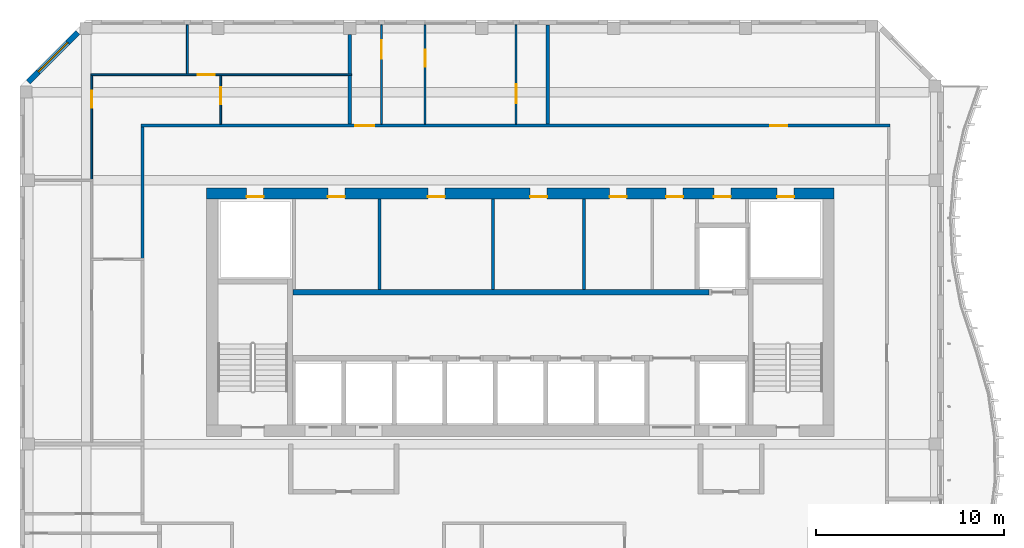
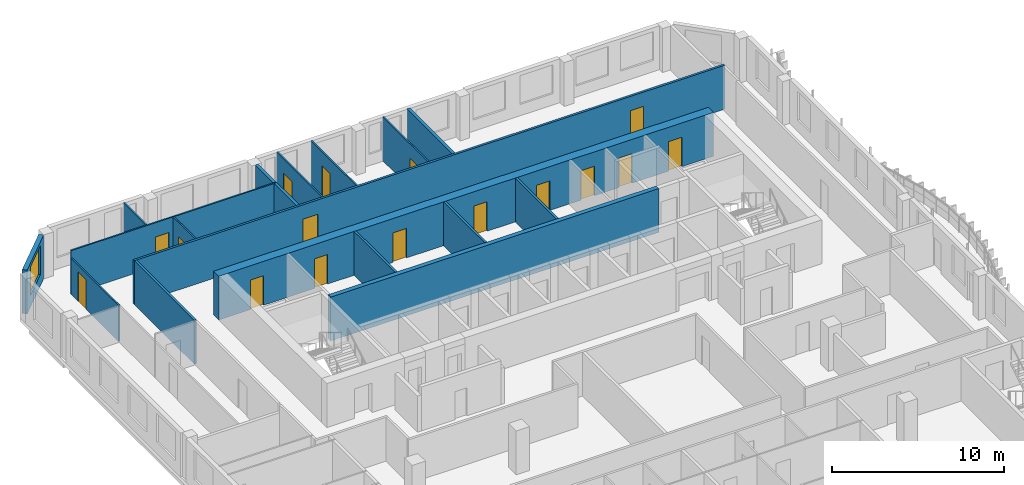
# One storey, part 7 of 16: 18 walls, 16 doors, 1 window, 17 openings.
"""IFC4 building model written with IfcOpenShell, lengths in metres."""

import ifcopenshell
import ifcopenshell.guid

model = None  # the IFC model being written
_history = None  # IfcOwnerHistory: only IFC2X3 demands one
_inside = {}  # id of a spatial element -> (the spatial element, [elements in it])
_under = {}  # id of a project, library or spatial element -> (it, [spatial elements below it])
_declared = {}  # id of a project -> (the project, [libraries it declares])
_typed = {}  # id of a type object -> (the type object, [elements of that type])
_made_of = {}  # id of a material, layer set ... -> (it, [elements and type objects made of it])


def new_model(schema):
    """Start an empty IFC model of exactly this schema.

    Asked for "IFC4X3", IfcOpenShell would pick the latest addendum, in which some entities
    have other attributes; the version numbers below select the first issue.
    IFC2X3 requires an IfcOwnerHistory on every rooted entity: one is made here for all.
    """
    global model, _history
    if schema == "IFC4X3":
        model = ifcopenshell.file(schema_version=(4, 3, 0, 0))
    else:
        model = ifcopenshell.file(schema=schema)
    _inside.clear()
    _under.clear()
    _declared.clear()
    _typed.clear()
    _made_of.clear()
    _history = None
    if model.schema == "IFC2X3":
        org = make("IfcOrganization", Name="unknown")
        user = make(
            "IfcPersonAndOrganization",
            ThePerson=make("IfcPerson", FamilyName="unknown"),
            TheOrganization=org,
        )
        app = make(
            "IfcApplication",
            ApplicationDeveloper=org,
            Version="unknown",
            ApplicationFullName="unknown",
            ApplicationIdentifier="unknown",
        )
        _history = make(
            "IfcOwnerHistory",
            OwningUser=user,
            OwningApplication=app,
            ChangeAction="ADDED",
            CreationDate=0,
        )
    return model


def make(cls, **values):
    """One entity of the class cls with the attributes given. An attribute that is None is left unset."""
    return model.create_entity(
        cls, **{name: value for name, value in values.items() if value is not None}
    )


def rooted(cls, **values):
    """An entity with a GlobalId (a new one), such as an element, a storey or a relation."""
    return make(cls, GlobalId=ifcopenshell.guid.new(), OwnerHistory=_history, **values)


def si_unit(unit_type, name, prefix=None):
    """IfcSIUnit, for example si_unit("LENGTHUNIT", "METRE", prefix="MILLI")."""
    return make("IfcSIUnit", UnitType=unit_type, Prefix=prefix, Name=name)


def assignment(units):
    """IfcUnitAssignment: the units of a project."""
    return None if units is None else make("IfcUnitAssignment", Units=units)


def point(xyz):
    """IfcCartesianPoint."""
    return None if xyz is None else make("IfcCartesianPoint", Coordinates=xyz)


def direction(xyz):
    """IfcDirection."""
    return None if xyz is None else make("IfcDirection", DirectionRatios=xyz)


def frame(location, z_axis=None, x_axis=None):
    """IfcAxis2Placement3D, a coordinate frame: its origin and axes. An axis left out is left unset."""
    return make(
        "IfcAxis2Placement3D",
        Location=point(location),
        Axis=direction(z_axis),
        RefDirection=direction(x_axis),
    )


def frame_2d(location, x_axis=None):
    """IfcAxis2Placement2D, a coordinate frame in the plane: its origin and x axis."""
    return make(
        "IfcAxis2Placement2D", Location=point(location), RefDirection=direction(x_axis)
    )


def origin():
    """The frame at (0, 0, 0) with its axes left unset."""
    return frame((0.0, 0.0, 0.0))


def place(relative_to, where):
    """IfcLocalPlacement: puts the frame where relative to a parent placement (None: the world)."""
    return make(
        "IfcLocalPlacement", PlacementRelTo=relative_to, RelativePlacement=where
    )


def context(
    kind, dimensions, precision=None, world=None, true_north=None, identifier=None
):
    """IfcGeometricRepresentationContext, for example the 3D "Model" context."""
    return make(
        "IfcGeometricRepresentationContext",
        ContextIdentifier=identifier,
        ContextType=kind,
        CoordinateSpaceDimension=dimensions,
        Precision=precision,
        WorldCoordinateSystem=world,
        TrueNorth=true_north,
    )


def subcontext(parent, identifier, kind, view, scale=None):
    """IfcGeometricRepresentationSubContext, for example "Body" below "Model"."""
    return make(
        "IfcGeometricRepresentationSubContext",
        ContextIdentifier=identifier,
        ContextType=kind,
        ParentContext=parent,
        TargetScale=scale,
        TargetView=view,
    )


def project(units=None, contexts=None):
    """IfcProject with its units and contexts."""
    return rooted(
        "IfcProject",
        Name="project",
        RepresentationContexts=contexts,
        UnitsInContext=assignment(units),
    )


def spatial(cls, under=None, at=None, **own):
    """A site, building, storey or space (cls), placed at a placement, below another one or the project."""
    s = rooted(cls, ObjectPlacement=at, **own)
    if under is not None:
        _under.setdefault(under.id(), (under, []))[1].append(s)
    return s


def profile(cls, at=None, kind="AREA", **sizes):
    """A parametric profile (cls). Its sizes go by their IFC names, for example OverallWidth=200.0."""
    return make(cls, ProfileType=kind, Position=at, **sizes)


def rectangle(**sizes):
    """IfcRectangleProfileDef."""
    return profile("IfcRectangleProfileDef", **sizes)


def extrude(swept, where, along, depth):
    """IfcExtrudedAreaSolid: the profile swept, set in the frame where, extruded along a direction by depth."""
    return make(
        "IfcExtrudedAreaSolid",
        SweptArea=swept,
        Position=where,
        ExtrudedDirection=direction(along),
        Depth=depth,
    )


def shape(context_of_items, identifier, shape_type, items):
    """IfcShapeRepresentation: the items that make up one representation, for example the "Body"."""
    return make(
        "IfcShapeRepresentation",
        ContextOfItems=context_of_items,
        RepresentationIdentifier=identifier,
        RepresentationType=shape_type,
        Items=items,
    )


def source(mapping_origin, context_of_items, identifier, shape_type, items):
    """IfcRepresentationMap: a shape defined once, which mapped items show again and again."""
    return make(
        "IfcRepresentationMap",
        MappingOrigin=mapping_origin,
        MappedRepresentation=shape(context_of_items, identifier, shape_type, items),
    )


def transform(
    local_origin,
    x_axis=None,
    y_axis=None,
    z_axis=None,
    scale=None,
    scale2=None,
    scale3=None,
    uniform=True,
):
    """IfcCartesianTransformationOperator3D, or its non-uniform kind. x_axis, y_axis, z_axis: its Axis1, 2, 3."""
    if uniform:
        return make(
            "IfcCartesianTransformationOperator3D",
            Axis1=direction(x_axis),
            Axis2=direction(y_axis),
            LocalOrigin=point(local_origin),
            Scale=scale,
            Axis3=direction(z_axis),
        )
    return make(
        "IfcCartesianTransformationOperator3DnonUniform",
        Axis1=direction(x_axis),
        Axis2=direction(y_axis),
        LocalOrigin=point(local_origin),
        Scale=scale,
        Axis3=direction(z_axis),
        Scale2=scale2,
        Scale3=scale3,
    )


def mapped(mapping_source, mapping_target):
    """IfcMappedItem: shows the shape of a source again, moved by a transform."""
    return make(
        "IfcMappedItem", MappingSource=mapping_source, MappingTarget=mapping_target
    )


def material(Name=None, Category=None):
    """IfcMaterial."""
    return make("IfcMaterial", Name=Name, Category=Category)


def layer(
    of_material, thickness, ventilated=None, Name=None, Category=None, Priority=None
):
    """IfcMaterialLayer: one layer of a wall or slab, of a material (None: an air gap)."""
    return make(
        "IfcMaterialLayer",
        Material=of_material,
        LayerThickness=thickness,
        IsVentilated=ventilated,
        Name=Name,
        Category=Category,
        Priority=Priority,
    )


def layer_set(layers, Name=None):
    """IfcMaterialLayerSet."""
    return make("IfcMaterialLayerSet", MaterialLayers=layers, LayerSetName=Name)


def made_of(thing, what):
    """Note that an element or type object is made of a material, layer set ...; save() writes the relation."""
    if what is not None:
        _made_of.setdefault(what.id(), (what, []))[1].append(thing)
    return thing


def type_object(cls, material=None, **own):
    """A type object (cls), such as IfcWallType, which elements share."""
    return made_of(rooted(cls, **own), material)


def element(
    cls,
    number,
    at=None,
    inside=None,
    cuts=None,
    type_object=None,
    material=None,
    context=None,
    identifier="Body",
    shape_type=None,
    held_by="IfcProductDefinitionShape",
    body=None,
    shapes=None,
    **own,
):
    """One element of the class cls, such as IfcWall. Its Tag is "e" and its number.

    at: its placement. inside: the storey or other place that contains it. cuts: it is an
    opening in that element (IfcRelVoidsElement). A single representation is given by context,
    identifier, shape_type and body (its items); several are given by shapes. held_by: the class
    of the entity that holds the representations. save() writes the other relations.
    """
    e = rooted(cls, Tag="e%d" % number, ObjectPlacement=at, **own)
    if body is not None:
        shapes = [shape(context, identifier, shape_type, body)]
    if shapes is not None:
        e.Representation = make(held_by, Representations=shapes)
    if inside is not None:
        _inside.setdefault(inside.id(), (inside, []))[1].append(e)
    if cuts is not None:
        rooted(
            "IfcRelVoidsElement", RelatingBuildingElement=cuts, RelatedOpeningElement=e
        )
    if type_object is not None:
        _typed.setdefault(type_object.id(), (type_object, []))[1].append(e)
    return made_of(e, material)


def fill(opening, filler):
    """IfcRelFillsElement: the door or window that sits in an opening."""
    return rooted(
        "IfcRelFillsElement",
        RelatingOpeningElement=opening,
        RelatedBuildingElement=filler,
    )


def aggregate(whole, parts):
    """IfcRelAggregates: a whole, such as a stair, and the parts it consists of."""
    return rooted("IfcRelAggregates", RelatingObject=whole, RelatedObjects=parts)


def save(model, path):
    """Write the relations noted so far, then the file.

    IfcRelAggregates (storeys below a building ...), IfcRelContainedInSpatialStructure (elements
    in a storey), IfcRelDefinesByType, IfcRelAssociatesMaterial and IfcRelDeclares: one each for
    every whole, place, type object, material and project.
    """
    for whole, parts in _under.values():
        aggregate(whole, parts)
    for where, things in _inside.values():
        rooted(
            "IfcRelContainedInSpatialStructure",
            RelatedElements=things,
            RelatingStructure=where,
        )
    for kind, things in _typed.values():
        rooted("IfcRelDefinesByType", RelatedObjects=things, RelatingType=kind)
    for what, things in _made_of.values():
        rooted("IfcRelAssociatesMaterial", RelatedObjects=things, RelatingMaterial=what)
    for by, libraries in _declared.values():
        rooted("IfcRelDeclares", RelatingContext=by, RelatedDefinitions=libraries)
    model.write(path)


model = new_model("IFC4")

# Units and contexts
model_context = context("Model", 3, precision=1e-05, world=origin(), true_north=direction((0.0, 1.0)))
body_context = subcontext(model_context, "Body", "Model", "MODEL_VIEW")
ifc_project = project(units=[si_unit("LENGTHUNIT", "METRE"), si_unit("AREAUNIT", "SQUARE_METRE"), si_unit("VOLUMEUNIT", "CUBIC_METRE"), si_unit("PLANEANGLEUNIT", "RADIAN"), si_unit("MASSUNIT", "GRAM", prefix="KILO")], contexts=[model_context])

# Site, building, storey
site_placement = place(None, origin())
site = spatial("IfcSite", under=ifc_project, at=site_placement, CompositionType="ELEMENT")
building_placement = place(site_placement, origin())
building = spatial("IfcBuilding", under=site, at=building_placement, Name="Kilnfold Tower and Market Hall", CompositionType="ELEMENT")
storey_placement = place(building_placement, frame((0.0, 0.0, 284.0)))
storey = spatial("IfcBuildingStorey", under=building, at=storey_placement, Name="L70", CompositionType="ELEMENT", Elevation=284.0)

# Wall
ifc_material_1 = material(Name="Gypsum board on steel studs", Category="steel")
ifc_layer_1 = layer(ifc_material_1, 0.14990234375)
ifc_layer_set_1 = layer_set([ifc_layer_1], Name="Gypsum board on steel studs")
wall_type_1 = type_object("IfcWallType", Name="WALL CORRIDOR 150", PredefinedType="PARTITIONING", material=ifc_layer_set_1)
wall_1_placement = place(storey_placement, frame((-19.0, 17.840087890625, 0.0), z_axis=(0.0, 0.0, 1.0), x_axis=(0.0, 1.0, 0.0)))
element("IfcWall", 1, at=wall_1_placement, inside=storey, type_object=wall_type_1, Name="Partition LY42.21", PredefinedType="PARTITIONING", context=body_context, shape_type="SweptSolid", body=[
    extrude(rectangle(XDim=6.98486328125, YDim=0.14990234375, at=frame_2d((3.492431640625, 0.0))), origin(), (0.0, 0.0, 1.0), 3.1201171875),
])

# Wall, openings, doors
wall_2_placement = place(storey_placement, frame((-19.074951171875, 24.89990234375, 0.0), z_axis=(0.0, 0.0, 1.0), x_axis=(1.0, 0.0, 0.0)))
wall_2 = element("IfcWall", 2, at=wall_2_placement, inside=storey, type_object=wall_type_1, Name="Partition LY42.22", PredefinedType="PARTITIONING", context=body_context, shape_type="SweptSolid", body=[
    extrude(rectangle(XDim=39.75, YDim=0.14990234375, at=frame_2d((19.875, 0.0))), origin(), (0.0, 0.0, 1.0), 3.1201171875),
])
opening_1_placement = place(wall_2_placement, frame((11.364990234375, 0.0, 0.0)))
opening_1 = element("IfcOpeningElement", 3, at=opening_1_placement, cuts=wall_2, Name="Opening D1", PredefinedType="OPENING", context=body_context, shape_type="SweptSolid", body=[
    extrude(rectangle(XDim=1.0, YDim=2.10009765625, at=frame_2d((0.5, 1.050048828125))), frame((0.0, 0.0849609375, 0.0), z_axis=(0.0, -1.0, 0.0), x_axis=(1.0, 0.0, 0.0)), (0.0, 0.0, 1.0), 0.169921875),
])
opening_2_placement = place(wall_2_placement, frame((33.37890625, 0.0, 0.0)))
opening_2 = element("IfcOpeningElement", 4, at=opening_2_placement, cuts=wall_2, Name="Opening D2", PredefinedType="OPENING", context=body_context, shape_type="SweptSolid", body=[
    extrude(rectangle(XDim=0.89990234375, YDim=2.10009765625, at=frame_2d((0.449951171875, 1.050048828125))), frame((0.0, 0.0849609375, 0.0), z_axis=(0.0, -1.0, 0.0), x_axis=(1.0, 0.0, 0.0)), (0.0, 0.0, 1.0), 0.169921875),
])
ifc_material_2 = material(Name="Timber veneer door leaf in steel frame", Category="steel")
door_type_1 = type_object("IfcDoorType", Name="DOOR ENTRY 1000 X2100", OperationType="NOTDEFINED", PredefinedType="DOOR", material=ifc_material_2)
door_1_placement = place(opening_1_placement, origin())
door_1 = element("IfcDoor", 5, at=door_1_placement, inside=storey, type_object=door_type_1, Name="Door D1", OperationType="SINGLE_SWING_LEFT", OverallHeight=2.10009765625, OverallWidth=1.0, PredefinedType="DOOR", context=body_context, shape_type="SweptSolid", body=[
    extrude(rectangle(XDim=1.0, YDim=2.10009765625, at=frame_2d((0.5, 1.050048828125))), frame((0.0, 0.02490234375, 0.0), z_axis=(0.0, -1.0, 0.0), x_axis=(1.0, 0.0, 0.0)), (0.0, 0.0, 1.0), 0.050048828125),
])
fill(opening_1, door_1)
ifc_material_3 = material(Name="Timber veneer door leaf in steel frame", Category="steel")
door_type_2 = type_object("IfcDoorType", Name="DOOR ROOM 900 X2100", OperationType="NOTDEFINED", PredefinedType="DOOR", material=ifc_material_3)
door_2_placement = place(opening_2_placement, origin())
door_2 = element("IfcDoor", 6, at=door_2_placement, inside=storey, type_object=door_type_2, Name="Door D2", OperationType="SINGLE_SWING_LEFT", OverallHeight=2.10009765625, OverallWidth=0.89990234375, PredefinedType="DOOR", context=body_context, shape_type="SweptSolid", body=[
    extrude(rectangle(XDim=0.89990234375, YDim=2.10009765625, at=frame_2d((0.449951171875, 1.050048828125))), frame((0.0, 0.02490234375, 0.0), z_axis=(0.0, -1.0, 0.0), x_axis=(1.0, 0.0, 0.0)), (0.0, 0.0, 1.0), 0.050048828125),
])
fill(opening_2, door_2)

# Wall, opening, door
ifc_material_4 = material(Name="Gypsum board on steel studs", Category="steel")
ifc_layer_2 = layer(ifc_material_4, 0.10009765625)
ifc_layer_set_2 = layer_set([ifc_layer_2], Name="Gypsum board on steel studs")
wall_type_2 = type_object("IfcWallType", Name="WALL PARTITION 100", PredefinedType="PARTITIONING", material=ifc_layer_set_2)
wall_3_placement = place(storey_placement, frame((-6.320068359375, 24.97705078125, 0.0), z_axis=(0.0, 0.0, 1.0), x_axis=(0.0, 1.0, 0.0)))
wall_3 = element("IfcWall", 7, at=wall_3_placement, inside=storey, type_object=wall_type_2, Name="Partition LY42.66", PredefinedType="PARTITIONING", context=body_context, shape_type="SweptSolid", body=[
    extrude(rectangle(XDim=5.27294921875, YDim=0.10009765625, at=frame_2d((2.636474609375, 0.0))), origin(), (0.0, 0.0, 1.0), 3.1201171875),
])
opening_3_placement = place(wall_3_placement, frame((3.4609375, 0.0, 0.0)))
opening_3 = element("IfcOpeningElement", 8, at=opening_3_placement, cuts=wall_3, Name="Opening D1", PredefinedType="OPENING", context=body_context, shape_type="SweptSolid", body=[
    extrude(rectangle(XDim=1.0, YDim=2.10009765625, at=frame_2d((0.5, 1.050048828125))), frame((0.0, 0.06005859375, 0.0), z_axis=(0.0, -1.0, 0.0), x_axis=(1.0, 0.0, 0.0)), (0.0, 0.0, 1.0), 0.1201171875),
])
door_3_placement = place(opening_3_placement, origin())
door_3 = element("IfcDoor", 9, at=door_3_placement, inside=storey, type_object=door_type_1, Name="Door D1", OperationType="SINGLE_SWING_LEFT", OverallHeight=2.10009765625, OverallWidth=1.0, PredefinedType="DOOR", context=body_context, shape_type="SweptSolid", body=[
    extrude(rectangle(XDim=1.0, YDim=2.10009765625, at=frame_2d((0.5, 1.050048828125))), frame((0.0, 0.02490234375, 0.0), z_axis=(0.0, -1.0, 0.0), x_axis=(1.0, 0.0, 0.0)), (0.0, 0.0, 1.0), 0.050048828125),
])
fill(opening_3, door_3)

wall_4_placement = place(storey_placement, frame((-4.010009765625, 24.97705078125, 0.0), z_axis=(0.0, 0.0, 1.0), x_axis=(0.0, 1.0, 0.0)))
wall_4 = element("IfcWall", 10, at=wall_4_placement, inside=storey, type_object=wall_type_2, Name="Partition LY42.69", PredefinedType="PARTITIONING", context=body_context, shape_type="SweptSolid", body=[
    extrude(rectangle(XDim=5.27294921875, YDim=0.10009765625, at=frame_2d((2.636474609375, 0.0))), origin(), (0.0, 0.0, 1.0), 3.1201171875),
])
opening_4_placement = place(wall_4_placement, frame((3.052001953125, 0.0, 0.0)))
opening_4 = element("IfcOpeningElement", 11, at=opening_4_placement, cuts=wall_4, Name="Opening D2", PredefinedType="OPENING", context=body_context, shape_type="SweptSolid", body=[
    extrude(rectangle(XDim=0.89990234375, YDim=2.10009765625, at=frame_2d((0.449951171875, 1.050048828125))), frame((0.0, 0.06005859375, 0.0), z_axis=(0.0, -1.0, 0.0), x_axis=(1.0, 0.0, 0.0)), (0.0, 0.0, 1.0), 0.1201171875),
])
door_4_placement = place(opening_4_placement, origin())
door_4 = element("IfcDoor", 12, at=door_4_placement, inside=storey, type_object=door_type_2, Name="Door D2", OperationType="SINGLE_SWING_LEFT", OverallHeight=2.10009765625, OverallWidth=0.89990234375, PredefinedType="DOOR", context=body_context, shape_type="SweptSolid", body=[
    extrude(rectangle(XDim=0.89990234375, YDim=2.10009765625, at=frame_2d((0.449951171875, 1.050048828125))), frame((0.0, 0.02490234375, 0.0), z_axis=(0.0, -1.0, 0.0), x_axis=(1.0, 0.0, 0.0)), (0.0, 0.0, 1.0), 0.050048828125),
])
fill(opening_4, door_4)

wall_5_placement = place(storey_placement, frame((0.820068359375, 24.97705078125, 0.0), z_axis=(0.0, 0.0, 1.0), x_axis=(0.0, 1.0, 0.0)))
wall_5 = element("IfcWall", 13, at=wall_5_placement, inside=storey, type_object=wall_type_2, Name="Partition LY42.70", PredefinedType="PARTITIONING", context=body_context, shape_type="SweptSolid", body=[
    extrude(rectangle(XDim=5.27294921875, YDim=0.10009765625, at=frame_2d((2.636474609375, 0.0))), origin(), (0.0, 0.0, 1.0), 3.1201171875),
])
opening_5_placement = place(wall_5_placement, frame((1.116943359375, 0.0, 0.0)))
opening_5 = element("IfcOpeningElement", 14, at=opening_5_placement, cuts=wall_5, Name="Opening D1", PredefinedType="OPENING", context=body_context, shape_type="SweptSolid", body=[
    extrude(rectangle(XDim=1.0, YDim=2.10009765625, at=frame_2d((0.5, 1.050048828125))), frame((0.0, 0.06005859375, 0.0), z_axis=(0.0, -1.0, 0.0), x_axis=(1.0, 0.0, 0.0)), (0.0, 0.0, 1.0), 0.1201171875),
])
door_5_placement = place(opening_5_placement, origin())
door_5 = element("IfcDoor", 15, at=door_5_placement, inside=storey, type_object=door_type_1, Name="Door D1", OperationType="SINGLE_SWING_RIGHT", OverallHeight=2.10009765625, OverallWidth=1.0, PredefinedType="DOOR", context=body_context, shape_type="SweptSolid", body=[
    extrude(rectangle(XDim=1.0, YDim=2.10009765625, at=frame_2d((0.5, 1.050048828125))), frame((0.0, 0.02490234375, 0.0), z_axis=(0.0, -1.0, 0.0), x_axis=(1.0, 0.0, 0.0)), (0.0, 0.0, 1.0), 0.050048828125),
])
fill(opening_5, door_5)

wall_6_placement = place(storey_placement, frame((-14.85009765625, 24.97705078125, 0.0), z_axis=(0.0, 0.0, 1.0), x_axis=(0.0, 1.0, 0.0)))
wall_6 = element("IfcWall", 16, at=wall_6_placement, inside=storey, type_object=wall_type_2, Name="Partition LY42.73", PredefinedType="PARTITIONING", context=body_context, shape_type="SweptSolid", body=[
    extrude(rectangle(XDim=2.572998046875, YDim=0.10009765625, at=frame_2d((1.28662109375, 0.0))), origin(), (0.0, 0.0, 1.0), 3.1201171875),
])
opening_6_placement = place(wall_6_placement, frame((1.049072265625, 0.0, 0.0)))
opening_6 = element("IfcOpeningElement", 17, at=opening_6_placement, cuts=wall_6, Name="Opening D2", PredefinedType="OPENING", context=body_context, shape_type="SweptSolid", body=[
    extrude(rectangle(XDim=0.89990234375, YDim=2.10009765625, at=frame_2d((0.449951171875, 1.050048828125))), frame((0.0, 0.06005859375, 0.0), z_axis=(0.0, -1.0, 0.0), x_axis=(1.0, 0.0, 0.0)), (0.0, 0.0, 1.0), 0.1201171875),
])
door_6_placement = place(opening_6_placement, origin())
door_6 = element("IfcDoor", 18, at=door_6_placement, inside=storey, type_object=door_type_2, Name="Door D2", OperationType="SINGLE_SWING_LEFT", OverallHeight=2.10009765625, OverallWidth=0.89990234375, PredefinedType="DOOR", context=body_context, shape_type="SweptSolid", body=[
    extrude(rectangle(XDim=0.89990234375, YDim=2.10009765625, at=frame_2d((0.449951171875, 1.050048828125))), frame((0.0, 0.02490234375, 0.0), z_axis=(0.0, -1.0, 0.0), x_axis=(1.0, 0.0, 0.0)), (0.0, 0.0, 1.0), 0.050048828125),
])
fill(opening_6, door_6)

wall_7_placement = place(storey_placement, frame((-21.699951171875, 22.0400390625, 0.0), z_axis=(0.0, 0.0, 1.0), x_axis=(0.0, 1.0, 0.0)))
wall_7 = element("IfcWall", 19, at=wall_7_placement, inside=storey, type_object=wall_type_2, Name="Partition LY42.75", PredefinedType="PARTITIONING", context=body_context, shape_type="SweptSolid", body=[
    extrude(rectangle(XDim=5.510009765625, YDim=0.10009765625, at=frame_2d((2.7548828125, 0.0))), origin(), (0.0, 0.0, 1.0), 2.570068359375),
])
opening_7_placement = place(wall_7_placement, frame((3.80908203125, 0.0, 0.0)))
opening_7 = element("IfcOpeningElement", 20, at=opening_7_placement, cuts=wall_7, Name="Opening D2", PredefinedType="OPENING", context=body_context, shape_type="SweptSolid", body=[
    extrude(rectangle(XDim=0.89990234375, YDim=2.10009765625, at=frame_2d((0.449951171875, 1.050048828125))), frame((0.0, 0.06005859375, 0.0), z_axis=(0.0, -1.0, 0.0), x_axis=(1.0, 0.0, 0.0)), (0.0, 0.0, 1.0), 0.1201171875),
])
door_7_placement = place(opening_7_placement, origin())
door_7 = element("IfcDoor", 21, at=door_7_placement, inside=storey, type_object=door_type_2, Name="Door D2", OperationType="SINGLE_SWING_LEFT", OverallHeight=2.10009765625, OverallWidth=0.89990234375, PredefinedType="DOOR", context=body_context, shape_type="SweptSolid", body=[
    extrude(rectangle(XDim=0.89990234375, YDim=2.10009765625, at=frame_2d((0.449951171875, 1.050048828125))), frame((0.0, 0.02490234375, 0.0), z_axis=(0.0, -1.0, 0.0), x_axis=(1.0, 0.0, 0.0)), (0.0, 0.0, 1.0), 0.050048828125),
])
fill(opening_7, door_7)

wall_8_placement = place(storey_placement, frame((-21.75, 27.60009765625, 0.0), z_axis=(0.0, 0.0, 1.0), x_axis=(1.0, 0.0, 0.0)))
wall_8 = element("IfcWall", 22, at=wall_8_placement, inside=storey, type_object=wall_type_2, Name="Partition LY42.76", PredefinedType="PARTITIONING", context=body_context, shape_type="SweptSolid", body=[
    extrude(rectangle(XDim=13.85009765625, YDim=0.10009765625, at=frame_2d((6.925048828125, 0.0))), origin(), (0.0, 0.0, 1.0), 3.1201171875),
])
opening_8_placement = place(wall_8_placement, frame((5.678955078125, 0.0, 0.0)))
opening_8 = element("IfcOpeningElement", 23, at=opening_8_placement, cuts=wall_8, Name="Opening D2", PredefinedType="OPENING", context=body_context, shape_type="SweptSolid", body=[
    extrude(rectangle(XDim=0.89990234375, YDim=2.10009765625, at=frame_2d((0.449951171875, 1.050048828125))), frame((0.0, 0.06005859375, 0.0), z_axis=(0.0, -1.0, 0.0), x_axis=(1.0, 0.0, 0.0)), (0.0, 0.0, 1.0), 0.1201171875),
])
door_8_placement = place(opening_8_placement, origin())
door_8 = element("IfcDoor", 24, at=door_8_placement, inside=storey, type_object=door_type_2, Name="Door D2", OperationType="SINGLE_SWING_RIGHT", OverallHeight=2.10009765625, OverallWidth=0.89990234375, PredefinedType="DOOR", context=body_context, shape_type="SweptSolid", body=[
    extrude(rectangle(XDim=0.89990234375, YDim=2.10009765625, at=frame_2d((0.449951171875, 1.050048828125))), frame((0.0, 0.02490234375, 0.0), z_axis=(0.0, -1.0, 0.0), x_axis=(1.0, 0.0, 0.0)), (0.0, 0.0, 1.0), 0.050048828125),
])
fill(opening_8, door_8)

# Walls
wall_9_placement = place(storey_placement, frame((-16.625, 27.652099609375, 0.0), z_axis=(0.0, 0.0, 1.0), x_axis=(0.0, 1.0, 0.0)))
element("IfcWall", 25, at=wall_9_placement, inside=storey, type_object=wall_type_2, Name="Partition LY42.78", PredefinedType="PARTITIONING", context=body_context, shape_type="SweptSolid", body=[
    extrude(rectangle(XDim=2.597900390625, YDim=0.10009765625, at=frame_2d((1.298828125, 0.0))), origin(), (0.0, 0.0, 1.0), 3.1201171875),
])
ifc_material_5 = material(Name="Gypsum board on steel studs", Category="steel")
ifc_layer_3 = layer(ifc_material_5, 0.199951171875)
ifc_layer_set_3 = layer_set([ifc_layer_3], Name="Gypsum board on steel studs")
wall_type_3 = type_object("IfcWallType", Name="WALL PARTY 200", PredefinedType="PARTITIONING", material=ifc_layer_set_3)
wall_10_placement = place(storey_placement, frame((2.5, 30.25, 0.0), z_axis=(0.0, 0.0, 1.0), x_axis=(0.0, -1.0, 0.0)))
element("IfcWall", 26, at=wall_10_placement, inside=storey, type_object=wall_type_3, Name="Partition LY42.65", PredefinedType="PARTITIONING", context=body_context, shape_type="SweptSolid", body=[
    extrude(rectangle(XDim=5.27294921875, YDim=0.199951171875, at=frame_2d((2.636474609375, 0.0))), origin(), (0.0, 0.0, 1.0), 3.1201171875),
])
wall_11_placement = place(storey_placement, frame((-8.0, 24.97705078125, 0.0), z_axis=(0.0, 0.0, 1.0), x_axis=(0.0, 1.0, 0.0)))
element("IfcWall", 27, at=wall_11_placement, inside=storey, type_object=wall_type_3, Name="Partition LY42.67", PredefinedType="PARTITIONING", context=body_context, shape_type="SweptSolid", body=[
    extrude(rectangle(XDim=2.5830078125, YDim=0.199951171875, at=frame_2d((1.29150390625, 0.0))), origin(), (0.0, 0.0, 1.0), 3.1201171875),
])
wall_12_placement = place(storey_placement, frame((-8.0, 27.64208984375, 0.0), z_axis=(0.0, 0.0, 1.0), x_axis=(0.0, 1.0, 0.0)))
element("IfcWall", 28, at=wall_12_placement, inside=storey, type_object=wall_type_3, Name="Partition LY42.68", PredefinedType="PARTITIONING", context=body_context, shape_type="SweptSolid", body=[
    extrude(rectangle(XDim=2.0830078125, YDim=0.199951171875, at=frame_2d((1.04150390625, 0.0))), origin(), (0.0, 0.0, 1.0), 3.1201171875),
])
ifc_material_6 = material(Name="Concrete C50", Category="concrete")
ifc_layer_4 = layer(ifc_material_6, 0.300048828125)
ifc_layer_set_4 = layer_set([ifc_layer_4], Name="Concrete C50")
wall_type_4 = type_object("IfcWallType", Name="CORE WALL 300 C50", PredefinedType="SHEAR", material=ifc_layer_set_4)
shared_shape_1 = source(origin(), body_context, "Body", "SweptSolid", [
    extrude(rectangle(XDim=22.080078125, YDim=0.300048828125, at=frame_2d((11.0400390625, 0.0))), origin(), (0.0, 0.0, 1.0), 3.1201171875),
])
wall_13_placement = place(storey_placement, frame((-11.010009765625, 16.050048828125, 0.0), z_axis=(0.0, 0.0, 1.0), x_axis=(1.0, 0.0, 0.0)))
element("IfcWall", 29, at=wall_13_placement, inside=storey, type_object=wall_type_4, Name="Core spine wall", PredefinedType="SHEAR", context=body_context, shape_type="MappedRepresentation", body=[
    mapped(shared_shape_1, transform((0.0, 0.0, 0.0))),
])

# Wall, openings, doors
ifc_material_7 = material(Name="Concrete C50", Category="concrete")
ifc_layer_5 = layer(ifc_material_7, 0.60009765625)
ifc_layer_set_5 = layer_set([ifc_layer_5], Name="Concrete C50")
wall_type_5 = type_object("IfcWallType", Name="CORE WALL 600 C50", PredefinedType="SHEAR", material=ifc_layer_set_5)
shared_shape_2 = source(origin(), body_context, "Body", "SweptSolid", [
    extrude(rectangle(XDim=33.300048828125, YDim=0.60009765625, at=frame_2d((16.64990234375, 0.0))), origin(), (0.0, 0.0, 1.0), 3.1201171875),
])
wall_14_placement = place(storey_placement, frame((-15.60009765625, 21.300048828125, 0.0), z_axis=(0.0, 0.0, 1.0), x_axis=(1.0, 0.0, 0.0)))
wall_14 = element("IfcWall", 30, at=wall_14_placement, inside=storey, type_object=wall_type_5, Name="Core outer wall north", PredefinedType="SHEAR", context=body_context, shape_type="MappedRepresentation", body=[
    mapped(shared_shape_2, transform((0.0, 0.0, 0.0))),
])
opening_9_placement = place(wall_14_placement, frame((6.431396484375, 0.0, 0.0)))
opening_9 = element("IfcOpeningElement", 31, at=opening_9_placement, cuts=wall_14, Name="Opening KD1", PredefinedType="OPENING", context=body_context, shape_type="SweptSolid", body=[
    extrude(rectangle(XDim=0.89990234375, YDim=2.10009765625, at=frame_2d((0.449951171875, 1.050048828125))), frame((0.0, 0.31005859375, 0.0), z_axis=(0.0, -1.0, 0.0), x_axis=(1.0, 0.0, 0.0)), (0.0, 0.0, 1.0), 0.6201171875),
])
opening_10_placement = place(wall_14_placement, frame((11.73779296875, 0.0, 0.0)))
opening_10 = element("IfcOpeningElement", 32, at=opening_10_placement, cuts=wall_14, Name="Opening KD1", PredefinedType="OPENING", context=body_context, shape_type="SweptSolid", body=[
    extrude(rectangle(XDim=0.89990234375, YDim=2.10009765625, at=frame_2d((0.449951171875, 1.050048828125))), frame((0.0, 0.31005859375, 0.0), z_axis=(0.0, -1.0, 0.0), x_axis=(1.0, 0.0, 0.0)), (0.0, 0.0, 1.0), 0.6201171875),
])
opening_11_placement = place(wall_14_placement, frame((17.164794921875, 0.0, 0.0)))
opening_11 = element("IfcOpeningElement", 33, at=opening_11_placement, cuts=wall_14, Name="Opening KD1", PredefinedType="OPENING", context=body_context, shape_type="SweptSolid", body=[
    extrude(rectangle(XDim=0.89990234375, YDim=2.10009765625, at=frame_2d((0.449951171875, 1.050048828125))), frame((0.0, 0.31005859375, 0.0), z_axis=(0.0, -1.0, 0.0), x_axis=(1.0, 0.0, 0.0)), (0.0, 0.0, 1.0), 0.6201171875),
])
opening_12_placement = place(wall_14_placement, frame((21.3857421875, 0.0, 0.0)))
opening_12 = element("IfcOpeningElement", 34, at=opening_12_placement, cuts=wall_14, Name="Opening KD1", PredefinedType="OPENING", context=body_context, shape_type="SweptSolid", body=[
    extrude(rectangle(XDim=0.89990234375, YDim=2.10009765625, at=frame_2d((0.449951171875, 1.050048828125))), frame((0.0, 0.31005859375, 0.0), z_axis=(0.0, -1.0, 0.0), x_axis=(1.0, 0.0, 0.0)), (0.0, 0.0, 1.0), 0.6201171875),
])
opening_13_placement = place(wall_14_placement, frame((24.387451171875, 0.0, 0.0)))
opening_13 = element("IfcOpeningElement", 35, at=opening_13_placement, cuts=wall_14, Name="Opening KD1", PredefinedType="OPENING", context=body_context, shape_type="SweptSolid", body=[
    extrude(rectangle(XDim=0.89990234375, YDim=2.10009765625, at=frame_2d((0.449951171875, 1.050048828125))), frame((0.0, 0.31005859375, 0.0), z_axis=(0.0, -1.0, 0.0), x_axis=(1.0, 0.0, 0.0)), (0.0, 0.0, 1.0), 0.6201171875),
])
opening_14_placement = place(wall_14_placement, frame((26.919921875, 0.0, 0.0)))
opening_14 = element("IfcOpeningElement", 36, at=opening_14_placement, cuts=wall_14, Name="Opening KD1", PredefinedType="OPENING", context=body_context, shape_type="SweptSolid", body=[
    extrude(rectangle(XDim=0.89990234375, YDim=2.10009765625, at=frame_2d((0.449951171875, 1.050048828125))), frame((0.0, 0.31005859375, 0.0), z_axis=(0.0, -1.0, 0.0), x_axis=(1.0, 0.0, 0.0)), (0.0, 0.0, 1.0), 0.6201171875),
])
opening_15_placement = place(wall_14_placement, frame((2.125, 0.0, 0.0)))
opening_15 = element("IfcOpeningElement", 37, at=opening_15_placement, cuts=wall_14, Name="Opening KD1", PredefinedType="OPENING", context=body_context, shape_type="SweptSolid", body=[
    extrude(rectangle(XDim=0.89990234375, YDim=2.10009765625, at=frame_2d((0.449951171875, 1.050048828125))), frame((0.0, 0.31005859375, 0.0), z_axis=(0.0, -1.0, 0.0), x_axis=(1.0, 0.0, 0.0)), (0.0, 0.0, 1.0), 0.6201171875),
])
opening_16_placement = place(wall_14_placement, frame((30.27490234375, 0.0, 0.0)))
opening_16 = element("IfcOpeningElement", 38, at=opening_16_placement, cuts=wall_14, Name="Opening KD1", PredefinedType="OPENING", context=body_context, shape_type="SweptSolid", body=[
    extrude(rectangle(XDim=0.89990234375, YDim=2.10009765625, at=frame_2d((0.449951171875, 1.050048828125))), frame((0.0, 0.31005859375, 0.0), z_axis=(0.0, -1.0, 0.0), x_axis=(1.0, 0.0, 0.0)), (0.0, 0.0, 1.0), 0.6201171875),
])
ifc_material_8 = material(Name="Steel door set with fire-resisting leaf", Category="steel")
door_type_3 = type_object("IfcDoorType", Name="SERVICE DOOR 900X2100", OperationType="NOTDEFINED", PredefinedType="DOOR", material=ifc_material_8)
door_9_placement = place(opening_9_placement, origin())
door_9 = element("IfcDoor", 39, at=door_9_placement, inside=storey, type_object=door_type_3, Name="Core service door", OperationType="SINGLE_SWING_RIGHT", OverallHeight=2.10009765625, OverallWidth=0.89990234375, PredefinedType="DOOR", context=body_context, shape_type="SweptSolid", body=[
    extrude(rectangle(XDim=0.89990234375, YDim=2.10009765625, at=frame_2d((0.449951171875, 1.050048828125))), frame((0.0, -0.15478515625, 0.0), z_axis=(0.0, -1.0, 0.0), x_axis=(1.0, 0.0, 0.0)), (0.0, 0.0, 1.0), 0.050048828125),
])
fill(opening_9, door_9)
door_10_placement = place(opening_10_placement, origin())
door_10 = element("IfcDoor", 40, at=door_10_placement, inside=storey, type_object=door_type_3, Name="Core service door", OperationType="SINGLE_SWING_LEFT", OverallHeight=2.10009765625, OverallWidth=0.89990234375, PredefinedType="DOOR", context=body_context, shape_type="SweptSolid", body=[
    extrude(rectangle(XDim=0.89990234375, YDim=2.10009765625, at=frame_2d((0.449951171875, 1.050048828125))), frame((0.0, -0.15478515625, 0.0), z_axis=(0.0, -1.0, 0.0), x_axis=(1.0, 0.0, 0.0)), (0.0, 0.0, 1.0), 0.050048828125),
])
fill(opening_10, door_10)
door_11_placement = place(opening_11_placement, origin())
door_11 = element("IfcDoor", 41, at=door_11_placement, inside=storey, type_object=door_type_3, Name="Core service door", OperationType="SINGLE_SWING_RIGHT", OverallHeight=2.10009765625, OverallWidth=0.89990234375, PredefinedType="DOOR", context=body_context, shape_type="SweptSolid", body=[
    extrude(rectangle(XDim=0.89990234375, YDim=2.10009765625, at=frame_2d((0.449951171875, 1.050048828125))), frame((0.0, -0.15478515625, 0.0), z_axis=(0.0, -1.0, 0.0), x_axis=(1.0, 0.0, 0.0)), (0.0, 0.0, 1.0), 0.050048828125),
])
fill(opening_11, door_11)
door_12_placement = place(opening_12_placement, origin())
door_12 = element("IfcDoor", 42, at=door_12_placement, inside=storey, type_object=door_type_3, Name="Core service door", OperationType="SINGLE_SWING_LEFT", OverallHeight=2.10009765625, OverallWidth=0.89990234375, PredefinedType="DOOR", context=body_context, shape_type="SweptSolid", body=[
    extrude(rectangle(XDim=0.89990234375, YDim=2.10009765625, at=frame_2d((0.449951171875, 1.050048828125))), frame((0.0, -0.15478515625, 0.0), z_axis=(0.0, -1.0, 0.0), x_axis=(1.0, 0.0, 0.0)), (0.0, 0.0, 1.0), 0.050048828125),
])
fill(opening_12, door_12)
door_13_placement = place(opening_13_placement, origin())
door_13 = element("IfcDoor", 43, at=door_13_placement, inside=storey, type_object=door_type_3, Name="Core service door", OperationType="SINGLE_SWING_RIGHT", OverallHeight=2.10009765625, OverallWidth=0.89990234375, PredefinedType="DOOR", context=body_context, shape_type="SweptSolid", body=[
    extrude(rectangle(XDim=0.89990234375, YDim=2.10009765625, at=frame_2d((0.449951171875, 1.050048828125))), frame((0.0, -0.15478515625, 0.0), z_axis=(0.0, -1.0, 0.0), x_axis=(1.0, 0.0, 0.0)), (0.0, 0.0, 1.0), 0.050048828125),
])
fill(opening_13, door_13)
door_14_placement = place(opening_14_placement, origin())
door_14 = element("IfcDoor", 44, at=door_14_placement, inside=storey, type_object=door_type_3, Name="Core service door", OperationType="SINGLE_SWING_LEFT", OverallHeight=2.10009765625, OverallWidth=0.89990234375, PredefinedType="DOOR", context=body_context, shape_type="SweptSolid", body=[
    extrude(rectangle(XDim=0.89990234375, YDim=2.10009765625, at=frame_2d((0.449951171875, 1.050048828125))), frame((0.0, -0.15478515625, 0.0), z_axis=(0.0, -1.0, 0.0), x_axis=(1.0, 0.0, 0.0)), (0.0, 0.0, 1.0), 0.050048828125),
])
fill(opening_14, door_14)
door_15_placement = place(opening_15_placement, origin())
door_15 = element("IfcDoor", 45, at=door_15_placement, inside=storey, type_object=door_type_3, Name="Electrical riser access door", OperationType="SINGLE_SWING_RIGHT", OverallHeight=2.10009765625, OverallWidth=0.89990234375, PredefinedType="DOOR", context=body_context, shape_type="SweptSolid", body=[
    extrude(rectangle(XDim=0.89990234375, YDim=2.10009765625, at=frame_2d((0.449951171875, 1.050048828125))), frame((0.0, -0.15478515625, 0.0), z_axis=(0.0, -1.0, 0.0), x_axis=(1.0, 0.0, 0.0)), (0.0, 0.0, 1.0), 0.050048828125),
])
fill(opening_15, door_15)
door_16_placement = place(opening_16_placement, origin())
door_16 = element("IfcDoor", 46, at=door_16_placement, inside=storey, type_object=door_type_3, Name="Mechanical riser access door", OperationType="SINGLE_SWING_LEFT", OverallHeight=2.10009765625, OverallWidth=0.89990234375, PredefinedType="DOOR", context=body_context, shape_type="SweptSolid", body=[
    extrude(rectangle(XDim=0.89990234375, YDim=2.10009765625, at=frame_2d((0.449951171875, 1.050048828125))), frame((0.0, -0.15478515625, 0.0), z_axis=(0.0, -1.0, 0.0), x_axis=(1.0, 0.0, 0.0)), (0.0, 0.0, 1.0), 0.050048828125),
])
fill(opening_16, door_16)

# Wall, opening, window
ifc_material_9 = material(Name="Precast concrete C50/60", Category="concrete")
ifc_layer_6 = layer(ifc_material_9, 0.300048828125)
ifc_layer_set_6 = layer_set([ifc_layer_6], Name="Precast concrete C50/60")
wall_type_6 = type_object("IfcWallType", Name="PRECAST WALL 300", PredefinedType="SOLIDWALL", material=ifc_layer_set_6)
shared_shape_3 = source(origin(), body_context, "Body", "SweptSolid", [
    extrude(rectangle(XDim=3.71240234375, YDim=0.300048828125, at=frame_2d((1.856201171875, 0.0))), origin(), (0.0, 0.0, 1.0), 3.1201171875),
])
wall_15_placement = place(storey_placement, frame((-22.44384765625, 29.843994140625, 0.0), z_axis=(0.0, 0.0, 1.0), x_axis=(-0.707106781187, -0.707106781187, 0.0)))
wall_15 = element("IfcWall", 47, at=wall_15_placement, inside=storey, type_object=wall_type_6, Name="External wall L70 NW", PredefinedType="SOLIDWALL", context=body_context, shape_type="MappedRepresentation", body=[
    mapped(shared_shape_3, transform((0.0, 0.0, 0.0))),
])
opening_17_placement = place(wall_15_placement, frame((0.756103515625, 0.0, 0.800048828125)))
opening_17 = element("IfcOpeningElement", 48, at=opening_17_placement, cuts=wall_15, Name="Opening W3", PredefinedType="OPENING", context=body_context, shape_type="SweptSolid", body=[
    extrude(rectangle(XDim=2.199951171875, YDim=2.050048828125, at=frame_2d((1.10009765625, 1.02490234375))), frame((0.0, 0.16015625, 0.0), z_axis=(0.0, -1.0, 0.0), x_axis=(1.0, 0.0, 0.0)), (0.0, 0.0, 1.0), 0.320068359375),
])
ifc_material_10 = material(Name="Aluminium frame and double glazing", Category="aluminium")
window_type = type_object("IfcWindowType", Name="WINDOW W3 2200X2050", PartitioningType="SINGLE_PANEL", PredefinedType="WINDOW", material=ifc_material_10)
window_placement = place(opening_17_placement, origin())
window = element("IfcWindow", 49, at=window_placement, inside=storey, type_object=window_type, Name="Window W3 L70 NW-1", OverallHeight=2.050048828125, OverallWidth=2.199951171875, PartitioningType="SINGLE_PANEL", PredefinedType="WINDOW", context=body_context, shape_type="SweptSolid", body=[
    extrude(rectangle(XDim=2.199951171875, YDim=2.050048828125, at=frame_2d((1.10009765625, 1.02490234375))), frame((0.0, 0.030029296875, 0.0), z_axis=(0.0, -1.0, 0.0), x_axis=(1.0, 0.0, 0.0)), (0.0, 0.0, 1.0), 0.06005859375),
])
fill(opening_17, window)

# Walls
ifc_material_11 = material(Name="Gypsum shaft wall system")
ifc_layer_7 = layer(ifc_material_11, 0.14990234375)
ifc_layer_set_7 = layer_set([ifc_layer_7], Name="Gypsum shaft wall system")
wall_type_7 = type_object("IfcWallType", Name="ROOM WALL 150", PredefinedType="PARTITIONING", material=ifc_layer_set_7)
shared_shape_4 = source(origin(), body_context, "Body", "SweptSolid", [
    extrude(rectangle(XDim=4.800048828125, YDim=0.14990234375, at=frame_2d((2.39990234375, 0.0))), origin(), (0.0, 0.0, 1.0), 3.1201171875),
])
for number, where, z_axis, x_axis, name in (
    (50, (-6.42724609375, 16.199951171875, 0.0), (0.0, 0.0, 1.0), (0.0, 1.0, 0.0), "Core room wall"),
    (51, (-0.397216796875, 16.199951171875, 0.0), (0.0, 0.0, 1.0), (0.0, 1.0, 0.0), "Core room wall"),
    (52, (4.4267578125, 16.199951171875, 0.0), (0.0, 0.0, 1.0), (0.0, 1.0, 0.0), "Core room wall"),
):
    element("IfcWall", number, at=place(storey_placement, frame(where, z_axis=z_axis, x_axis=x_axis)), inside=storey, type_object=wall_type_7, Name=name, PredefinedType="PARTITIONING", context=body_context, shape_type="MappedRepresentation", body=[
        mapped(shared_shape_4, transform((0.0, 0.0, 0.0))),
    ])

save(model, "model.ifc")
